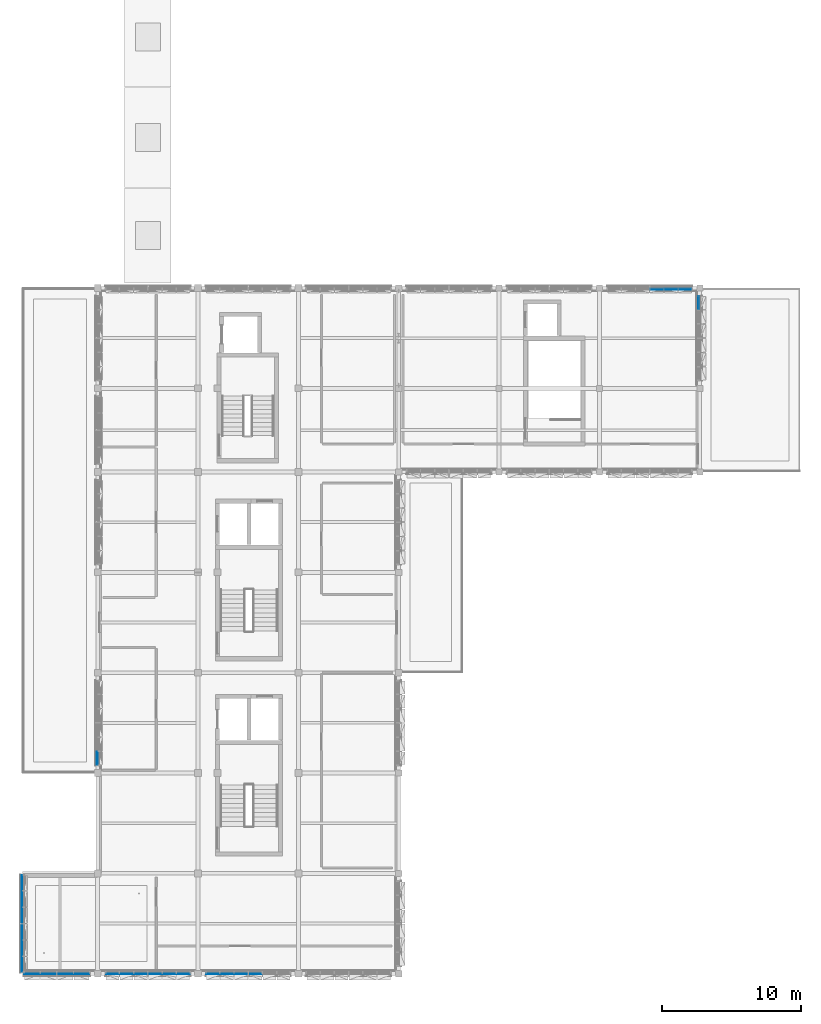
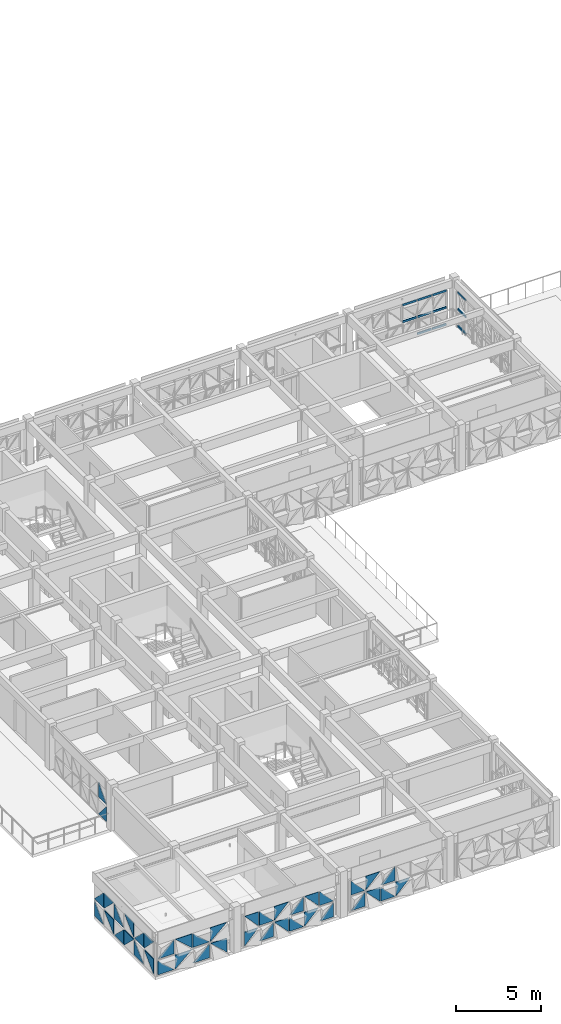
# One storey, part 12 of 35: 41 plates, 11 members, 7 elements without a shape of their own.
"""IFC4 building model written with IfcOpenShell, lengths in metres."""

from ifc_helpers import new_model, si_unit, direction, frame, origin, origin_2d, place, context, subcontext, project, spatial, polyline, rectangle, outline, extrude, material, layer, layer_set, material_profile, profile_set, type_object, element, aggregate, save


model = new_model("IFC4")

# Units and contexts
model_context = context("Model", 3, precision=1e-05, world=origin(), true_north=direction((0.0, 1.0)))
body_context = subcontext(model_context, "Body", "Model", "MODEL_VIEW")
ifc_project = project(units=[si_unit("LENGTHUNIT", "METRE"), si_unit("AREAUNIT", "SQUARE_METRE"), si_unit("VOLUMEUNIT", "CUBIC_METRE"), si_unit("PLANEANGLEUNIT", "RADIAN"), si_unit("MASSUNIT", "GRAM", prefix="KILO")], contexts=[model_context])

# Site, building, storey
site_placement = place(None, origin())
site = spatial("IfcSite", under=ifc_project, at=site_placement, CompositionType="ELEMENT")
building_placement = place(site_placement, origin())
building = spatial("IfcBuilding", under=site, at=building_placement, Name="Alvorim Cloister Faculty of Sciences", CompositionType="ELEMENT")
storey_placement = place(building_placement, frame((0.0, 0.0, 22.949951171875)))
storey = spatial("IfcBuildingStorey", under=building, at=storey_placement, Name="L06", CompositionType="ELEMENT", Elevation=22.949951171875)

# Curtain wall, members
ifc_material_1 = material(Name="Aluminium and Low-E Glass Curtain Wall", Category="aluminium")
curtain_wall_type_1 = type_object("IfcCurtainWallType", Name="CW-TRI-6120x2550", PredefinedType="USERDEFINED", material=ifc_material_1)
curtain_wall_1_placement = place(storey_placement, origin())
curtain_wall_1 = element("IfcCurtainWall", 1, at=curtain_wall_1_placement, inside=storey, type_object=curtain_wall_type_1, Name="L06 Diagonal Cassette Curtain Wall CW-0250", ObjectType="UNITISED CURTAIN WALL", PredefinedType="USERDEFINED")
ifc_material_2 = material(Name="Aluminium Alloy 6063-T6", Category="aluminium")
ifc_material_profile = material_profile(ifc_material_2, rectangle(XDim=0.06494140625, YDim=0.139892578125, at=origin_2d()), Name="ALU-TRN-65x140")
ifc_profile_set = profile_set([ifc_material_profile], Name="Aluminium Alloy 6063-T6")
member_type = type_object("IfcMemberType", Name="CW-TRN-65x140", PredefinedType="USERDEFINED", material=ifc_profile_set)
member_1_placement = place(storey_placement, frame((46.83251953125, 56.31005859375, 1.275146484375), z_axis=(1.0, 0.0, 0.0), x_axis=(0.0, 1.0, 0.0)))
member_1 = element("IfcMember", 2, at=member_1_placement, type_object=member_type, Name="CW-0250 Transom 4.2", ObjectType="TRANSOM", PredefinedType="USERDEFINED", context=body_context, shape_type="SweptSolid", body=[
    extrude(rectangle(XDim=0.06494140625, YDim=0.139892578125, at=origin_2d()), origin(), (0.0, 0.0, 1.0), 0.955078125),
])
member_2_placement = place(storey_placement, frame((46.83251953125, 56.31005859375, 2.47998046875), z_axis=(1.0, 0.0, 0.0), x_axis=(0.0, 1.0, 0.0)))
member_2 = element("IfcMember", 3, at=member_2_placement, type_object=member_type, Name="CW-0250 Transom 4.3", ObjectType="TRANSOM", PredefinedType="USERDEFINED", context=body_context, shape_type="SweptSolid", body=[
    extrude(rectangle(XDim=0.06494140625, YDim=0.139892578125, at=origin_2d()), origin(), (0.0, 0.0, 1.0), 0.955078125),
])
member_3_placement = place(storey_placement, frame((47.8525390625, 56.31005859375, 0.070068359375), z_axis=(1.0, 0.0, 0.0), x_axis=(0.0, 1.0, 0.0)))
member_3 = element("IfcMember", 4, at=member_3_placement, type_object=member_type, Name="CW-0250 Transom 5.1", ObjectType="TRANSOM", PredefinedType="USERDEFINED", context=body_context, shape_type="SweptSolid", body=[
    extrude(rectangle(XDim=0.06494140625, YDim=0.139892578125, at=origin_2d()), origin(), (0.0, 0.0, 1.0), 0.955078125),
])
member_4_placement = place(storey_placement, frame((47.8525390625, 56.31005859375, 1.275146484375), z_axis=(1.0, 0.0, 0.0), x_axis=(0.0, 1.0, 0.0)))
member_4 = element("IfcMember", 5, at=member_4_placement, type_object=member_type, Name="CW-0250 Transom 5.2", ObjectType="TRANSOM", PredefinedType="USERDEFINED", context=body_context, shape_type="SweptSolid", body=[
    extrude(rectangle(XDim=0.06494140625, YDim=0.139892578125, at=origin_2d()), origin(), (0.0, 0.0, 1.0), 0.955078125),
])
member_5_placement = place(storey_placement, frame((47.8525390625, 56.31005859375, 2.47998046875), z_axis=(1.0, 0.0, 0.0), x_axis=(0.0, 1.0, 0.0)))
member_5 = element("IfcMember", 6, at=member_5_placement, type_object=member_type, Name="CW-0250 Transom 5.3", ObjectType="TRANSOM", PredefinedType="USERDEFINED", context=body_context, shape_type="SweptSolid", body=[
    extrude(rectangle(XDim=0.06494140625, YDim=0.139892578125, at=origin_2d()), origin(), (0.0, 0.0, 1.0), 0.955078125),
])
member_6_placement = place(storey_placement, frame((48.87255859375, 56.31005859375, 0.070068359375), z_axis=(1.0, 0.0, 0.0), x_axis=(0.0, 1.0, 0.0)))
member_6 = element("IfcMember", 7, at=member_6_placement, type_object=member_type, Name="CW-0250 Transom 6.1", ObjectType="TRANSOM", PredefinedType="USERDEFINED", context=body_context, shape_type="SweptSolid", body=[
    extrude(rectangle(XDim=0.06494140625, YDim=0.139892578125, at=origin_2d()), origin(), (0.0, 0.0, 1.0), 0.92236328125),
])
member_7_placement = place(storey_placement, frame((48.87255859375, 56.31005859375, 1.275146484375), z_axis=(1.0, 0.0, 0.0), x_axis=(0.0, 1.0, 0.0)))
member_7 = element("IfcMember", 8, at=member_7_placement, type_object=member_type, Name="CW-0250 Transom 6.2", ObjectType="TRANSOM", PredefinedType="USERDEFINED", context=body_context, shape_type="SweptSolid", body=[
    extrude(rectangle(XDim=0.06494140625, YDim=0.139892578125, at=origin_2d()), origin(), (0.0, 0.0, 1.0), 0.92236328125),
])
member_8_placement = place(storey_placement, frame((48.87255859375, 56.31005859375, 2.47998046875), z_axis=(1.0, 0.0, 0.0), x_axis=(0.0, 1.0, 0.0)))
member_8 = element("IfcMember", 9, at=member_8_placement, type_object=member_type, Name="CW-0250 Transom 6.3", ObjectType="TRANSOM", PredefinedType="USERDEFINED", context=body_context, shape_type="SweptSolid", body=[
    extrude(rectangle(XDim=0.06494140625, YDim=0.139892578125, at=origin_2d()), origin(), (0.0, 0.0, 1.0), 0.92236328125),
])
aggregate(curtain_wall_1, [member_1, member_2, member_3, member_4, member_5, member_6, member_7, member_8])

curtain_wall_2_placement = place(storey_placement, origin())
curtain_wall_2 = element("IfcCurtainWall", 10, at=curtain_wall_2_placement, inside=storey, type_object=curtain_wall_type_1, Name="L06 Diagonal Cassette Curtain Wall CW-0251", ObjectType="UNITISED CURTAIN WALL", PredefinedType="USERDEFINED")
member_9_placement = place(storey_placement, frame((50.31005859375, 54.87255859375, 0.070068359375), z_axis=(0.0, 1.0, 0.0), x_axis=(-1.0, 0.0, 0.0)))
member_9 = element("IfcMember", 11, at=member_9_placement, type_object=member_type, Name="CW-0251 Transom 6.1", ObjectType="TRANSOM", PredefinedType="USERDEFINED", context=body_context, shape_type="SweptSolid", body=[
    extrude(rectangle(XDim=0.06494140625, YDim=0.139892578125, at=origin_2d()), origin(), (0.0, 0.0, 1.0), 0.92236328125),
])
member_10_placement = place(storey_placement, frame((50.31005859375, 54.87255859375, 1.275146484375), z_axis=(0.0, 1.0, 0.0), x_axis=(-1.0, 0.0, 0.0)))
member_10 = element("IfcMember", 12, at=member_10_placement, type_object=member_type, Name="CW-0251 Transom 6.2", ObjectType="TRANSOM", PredefinedType="USERDEFINED", context=body_context, shape_type="SweptSolid", body=[
    extrude(rectangle(XDim=0.06494140625, YDim=0.139892578125, at=origin_2d()), origin(), (0.0, 0.0, 1.0), 0.92236328125),
])
member_11_placement = place(storey_placement, frame((50.31005859375, 54.87255859375, 2.47998046875), z_axis=(0.0, 1.0, 0.0), x_axis=(-1.0, 0.0, 0.0)))
member_11 = element("IfcMember", 13, at=member_11_placement, type_object=member_type, Name="CW-0251 Transom 6.3", ObjectType="TRANSOM", PredefinedType="USERDEFINED", context=body_context, shape_type="SweptSolid", body=[
    extrude(rectangle(XDim=0.06494140625, YDim=0.139892578125, at=origin_2d()), origin(), (0.0, 0.0, 1.0), 0.92236328125),
])
aggregate(curtain_wall_2, [member_9, member_10, member_11])

# Curtain wall, plates
curtain_wall_type_2 = type_object("IfcCurtainWallType", Name="CW-TRI-7040x2557", PredefinedType="USERDEFINED", material=ifc_material_1)
curtain_wall_3_placement = place(storey_placement, origin())
curtain_wall_3 = element("IfcCurtainWall", 14, at=curtain_wall_3_placement, inside=storey, type_object=curtain_wall_type_2, Name="L06 Diagonal Cassette Curtain Wall CW-0240", ObjectType="UNITISED CURTAIN WALL", PredefinedType="USERDEFINED")
ifc_material_3 = material(Name="Double Low-E Laminated Glass", Category="glass")
ifc_layer = layer(ifc_material_3, 0.0400390625)
ifc_layer_set = layer_set([ifc_layer], Name="Double Low-E Laminated Glass")
plate_type = type_object("IfcPlateType", Name="PN-GLZ-40", PredefinedType="CURTAIN_PANEL", material=ifc_layer_set)
plate_1_placement = place(storey_placement, frame((1.77490234375, 7.344970703125, 0.14013671875), z_axis=(0.0, 0.0, 1.0), x_axis=(0.0, 1.0, 0.0)))
plate_1 = element("IfcPlate", 15, at=plate_1_placement, type_object=plate_type, Name="Diagonal Glazed Triangle TRI-TL", PredefinedType="CURTAIN_PANEL", context=body_context, shape_type="SweptSolid", body=[
    extrude(outline(polyline([(1.073974609375, 1.068359375), (0.0, 1.068359375), (0.0, 0.001953125), (1.073974609375, 1.068359375)])), frame((0.0, 0.02490234375, 0.0), z_axis=(0.0, -1.0, 0.0), x_axis=(1.0, 0.0, 0.0)), (0.0, 0.0, 1.0), 0.050048828125),
])
plate_2_placement = place(storey_placement, frame((1.77490234375, 7.344970703125, 1.3486328125), z_axis=(0.0, 0.0, 1.0), x_axis=(0.0, 1.0, 0.0)))
plate_2 = element("IfcPlate", 16, at=plate_2_placement, type_object=plate_type, Name="Diagonal Glazed Triangle TRI-TR", PredefinedType="CURTAIN_PANEL", context=body_context, shape_type="SweptSolid", body=[
    extrude(outline(polyline([(1.075927734375, 0.001953125), (1.075927734375, 1.068359375), (0.001953125, 1.068359375), (1.075927734375, 0.001953125)])), frame((0.0, 0.02490234375, 0.0), z_axis=(0.0, -1.0, 0.0), x_axis=(1.0, 0.0, 0.0)), (0.0, 0.0, 1.0), 0.050048828125),
])
plate_3_placement = place(storey_placement, frame((1.77490234375, 8.48583984375, 0.14013671875), z_axis=(0.0, 0.0, 1.0), x_axis=(0.0, 1.0, 0.0)))
plate_3 = element("IfcPlate", 17, at=plate_3_placement, type_object=plate_type, Name="Diagonal Glazed Triangle TRI-BR", PredefinedType="CURTAIN_PANEL", context=body_context, shape_type="SweptSolid", body=[
    extrude(outline(polyline([(0.001953125, 0.0), (1.1083984375, 0.0), (1.1083984375, 1.06640625), (0.001953125, 0.0)])), frame((0.0, 0.02490234375, 0.0), z_axis=(0.0, -1.0, 0.0), x_axis=(1.0, 0.0, 0.0)), (0.0, 0.0, 1.0), 0.050048828125),
])
plate_4_placement = place(storey_placement, frame((1.77490234375, 8.48583984375, 1.3486328125), z_axis=(0.0, 0.0, 1.0), x_axis=(0.0, 1.0, 0.0)))
plate_4 = element("IfcPlate", 18, at=plate_4_placement, type_object=plate_type, Name="Diagonal Glazed Triangle TRI-BL", PredefinedType="CURTAIN_PANEL", context=body_context, shape_type="SweptSolid", body=[
    extrude(outline(polyline([(0.0, 0.0), (1.1064453125, 0.0), (0.0, 1.06640625), (0.0, 0.0)])), frame((0.0, 0.02490234375, 0.0), z_axis=(0.0, -1.0, 0.0), x_axis=(1.0, 0.0, 0.0)), (0.0, 0.0, 1.0), 0.050048828125),
])
plate_5_placement = place(storey_placement, frame((1.77490234375, 9.6591796875, 0.14013671875), z_axis=(0.0, 0.0, 1.0), x_axis=(0.0, 1.0, 0.0)))
plate_5 = element("IfcPlate", 19, at=plate_5_placement, type_object=plate_type, Name="Diagonal Glazed Triangle TRI-TR", PredefinedType="CURTAIN_PANEL", context=body_context, shape_type="SweptSolid", body=[
    extrude(outline(polyline([(1.1083984375, 0.001953125), (1.1083984375, 1.068359375), (0.001953125, 1.068359375), (1.1083984375, 0.001953125)])), frame((0.0, 0.02490234375, 0.0), z_axis=(0.0, -1.0, 0.0), x_axis=(1.0, 0.0, 0.0)), (0.0, 0.0, 1.0), 0.050048828125),
])
plate_6_placement = place(storey_placement, frame((1.77490234375, 9.6591796875, 1.3486328125), z_axis=(0.0, 0.0, 1.0), x_axis=(0.0, 1.0, 0.0)))
plate_6 = element("IfcPlate", 20, at=plate_6_placement, type_object=plate_type, Name="Diagonal Glazed Triangle TRI-TL", PredefinedType="CURTAIN_PANEL", context=body_context, shape_type="SweptSolid", body=[
    extrude(outline(polyline([(1.1064453125, 1.068359375), (0.0, 1.068359375), (0.0, 0.001953125), (1.1064453125, 1.068359375)])), frame((0.0, 0.02490234375, 0.0), z_axis=(0.0, -1.0, 0.0), x_axis=(1.0, 0.0, 0.0)), (0.0, 0.0, 1.0), 0.050048828125),
])
plate_7_placement = place(storey_placement, frame((1.77490234375, 10.83251953125, 0.14013671875), z_axis=(0.0, 0.0, 1.0), x_axis=(0.0, 1.0, 0.0)))
plate_7 = element("IfcPlate", 21, at=plate_7_placement, type_object=plate_type, Name="Diagonal Glazed Triangle TRI-BL", PredefinedType="CURTAIN_PANEL", context=body_context, shape_type="SweptSolid", body=[
    extrude(outline(polyline([(0.0, 0.0), (1.1064453125, 0.0), (0.0, 1.06640625), (0.0, 0.0)])), frame((0.0, 0.02490234375, 0.0), z_axis=(0.0, -1.0, 0.0), x_axis=(1.0, 0.0, 0.0)), (0.0, 0.0, 1.0), 0.050048828125),
])
plate_8_placement = place(storey_placement, frame((1.77490234375, 10.83251953125, 1.3486328125), z_axis=(0.0, 0.0, 1.0), x_axis=(0.0, 1.0, 0.0)))
plate_8 = element("IfcPlate", 22, at=plate_8_placement, type_object=plate_type, Name="Diagonal Glazed Triangle TRI-BR", PredefinedType="CURTAIN_PANEL", context=body_context, shape_type="SweptSolid", body=[
    extrude(outline(polyline([(0.001953125, 0.0), (1.1083984375, 0.0), (1.1083984375, 1.06640625), (0.001953125, 0.0)])), frame((0.0, 0.02490234375, 0.0), z_axis=(0.0, -1.0, 0.0), x_axis=(1.0, 0.0, 0.0)), (0.0, 0.0, 1.0), 0.050048828125),
])
plate_9_placement = place(storey_placement, frame((1.77490234375, 12.005859375, 0.14013671875), z_axis=(0.0, 0.0, 1.0), x_axis=(0.0, 1.0, 0.0)))
plate_9 = element("IfcPlate", 23, at=plate_9_placement, type_object=plate_type, Name="Diagonal Glazed Triangle TRI-TL", PredefinedType="CURTAIN_PANEL", context=body_context, shape_type="SweptSolid", body=[
    extrude(outline(polyline([(1.1064453125, 1.068359375), (0.0, 1.068359375), (0.0, 0.001953125), (1.1064453125, 1.068359375)])), frame((0.0, 0.02490234375, 0.0), z_axis=(0.0, -1.0, 0.0), x_axis=(1.0, 0.0, 0.0)), (0.0, 0.0, 1.0), 0.050048828125),
])
plate_10_placement = place(storey_placement, frame((1.77490234375, 12.005859375, 1.3486328125), z_axis=(0.0, 0.0, 1.0), x_axis=(0.0, 1.0, 0.0)))
plate_10 = element("IfcPlate", 24, at=plate_10_placement, type_object=plate_type, Name="Diagonal Glazed Triangle TRI-TR", PredefinedType="CURTAIN_PANEL", context=body_context, shape_type="SweptSolid", body=[
    extrude(outline(polyline([(1.1083984375, 0.001953125), (1.1083984375, 1.068359375), (0.001953125, 1.068359375), (1.1083984375, 0.001953125)])), frame((0.0, 0.02490234375, 0.0), z_axis=(0.0, -1.0, 0.0), x_axis=(1.0, 0.0, 0.0)), (0.0, 0.0, 1.0), 0.050048828125),
])
plate_11_placement = place(storey_placement, frame((1.77490234375, 13.17919921875, 0.14013671875), z_axis=(0.0, 0.0, 1.0), x_axis=(0.0, 1.0, 0.0)))
plate_11 = element("IfcPlate", 25, at=plate_11_placement, type_object=plate_type, Name="Diagonal Glazed Triangle TRI-BR", PredefinedType="CURTAIN_PANEL", context=body_context, shape_type="SweptSolid", body=[
    extrude(outline(polyline([(0.001953125, 0.0), (1.075927734375, 0.0), (1.075927734375, 1.06640625), (0.001953125, 0.0)])), frame((0.0, 0.02490234375, 0.0), z_axis=(0.0, -1.0, 0.0), x_axis=(1.0, 0.0, 0.0)), (0.0, 0.0, 1.0), 0.050048828125),
])
plate_12_placement = place(storey_placement, frame((1.77490234375, 13.17919921875, 1.3486328125), z_axis=(0.0, 0.0, 1.0), x_axis=(0.0, 1.0, 0.0)))
plate_12 = element("IfcPlate", 26, at=plate_12_placement, type_object=plate_type, Name="Diagonal Glazed Triangle TRI-BL", PredefinedType="CURTAIN_PANEL", context=body_context, shape_type="SweptSolid", body=[
    extrude(outline(polyline([(0.0, 0.0), (1.073974609375, 0.0), (0.0, 1.06640625), (0.0, 0.0)])), frame((0.0, 0.02490234375, 0.0), z_axis=(0.0, -1.0, 0.0), x_axis=(1.0, 0.0, 0.0)), (0.0, 0.0, 1.0), 0.050048828125),
])
aggregate(curtain_wall_3, [plate_1, plate_2, plate_3, plate_4, plate_5, plate_6, plate_7, plate_8, plate_9, plate_10, plate_11, plate_12])

curtain_wall_4_placement = place(storey_placement, origin())
curtain_wall_4 = element("IfcCurtainWall", 27, at=curtain_wall_4_placement, inside=storey, type_object=curtain_wall_type_1, Name="L06 Diagonal Cassette Curtain Wall CW-0241", ObjectType="UNITISED CURTAIN WALL", PredefinedType="USERDEFINED")
plate_13_placement = place(storey_placement, frame((7.175048828125, 22.205078125, 0.14013671875), z_axis=(0.0, 0.0, 1.0), x_axis=(0.0, 1.0, 0.0)))
plate_13 = element("IfcPlate", 28, at=plate_13_placement, type_object=plate_type, Name="Diagonal Glazed Triangle TRI-BL", PredefinedType="CURTAIN_PANEL", context=body_context, shape_type="SweptSolid", body=[
    extrude(outline(polyline([(0.0, 0.0), (0.920654296875, 0.0), (0.0, 1.06298828125), (0.0, 0.0)])), frame((0.0, 0.02490234375, 0.0), z_axis=(0.0, -1.0, 0.0), x_axis=(1.0, 0.0, 0.0)), (0.0, 0.0, 1.0), 0.050048828125),
])
plate_14_placement = place(storey_placement, frame((7.175048828125, 22.205078125, 1.344970703125), z_axis=(0.0, 0.0, 1.0), x_axis=(0.0, 1.0, 0.0)))
plate_14 = element("IfcPlate", 29, at=plate_14_placement, type_object=plate_type, Name="Diagonal Glazed Triangle TRI-BR", PredefinedType="CURTAIN_PANEL", context=body_context, shape_type="SweptSolid", body=[
    extrude(outline(polyline([(0.001953125, 0.0), (0.922607421875, 0.0), (0.922607421875, 1.063232421875), (0.001953125, 0.0)])), frame((0.0, 0.02490234375, 0.0), z_axis=(0.0, -1.0, 0.0), x_axis=(1.0, 0.0, 0.0)), (0.0, 0.0, 1.0), 0.050048828125),
])
aggregate(curtain_wall_4, [plate_13, plate_14])

curtain_wall_type_3 = type_object("IfcCurtainWallType", Name="CW-TRI-6120x2406", PredefinedType="USERDEFINED", material=ifc_material_1)
curtain_wall_5_placement = place(storey_placement, origin())
curtain_wall_5 = element("IfcCurtainWall", 30, at=curtain_wall_5_placement, inside=storey, type_object=curtain_wall_type_3, Name="L06 Diagonal Cassette Curtain Wall CW-0259", ObjectType="UNITISED CURTAIN WALL", PredefinedType="USERDEFINED")
plate_15_placement = place(storey_placement, frame((15.0048828125, 7.175048828125, 0.14013671875), z_axis=(0.0, 0.0, 1.0), x_axis=(1.0, 0.0, 0.0)))
plate_15 = element("IfcPlate", 31, at=plate_15_placement, type_object=plate_type, Name="Diagonal Glazed Triangle TRI-BR", PredefinedType="CURTAIN_PANEL", context=body_context, shape_type="SweptSolid", body=[
    extrude(outline(polyline([(0.001953125, 0.0), (0.922607421875, 0.0), (0.922607421875, 0.990966796875), (0.001953125, 0.0)])), frame((0.0, 0.02490234375, 0.0), z_axis=(0.0, -1.0, 0.0), x_axis=(1.0, 0.0, 0.0)), (0.0, 0.0, 1.0), 0.050048828125),
])
plate_16_placement = place(storey_placement, frame((15.0048828125, 7.175048828125, 1.27294921875), z_axis=(0.0, 0.0, 1.0), x_axis=(1.0, 0.0, 0.0)))
plate_16 = element("IfcPlate", 32, at=plate_16_placement, type_object=plate_type, Name="Diagonal Glazed Triangle TRI-BL", PredefinedType="CURTAIN_PANEL", context=body_context, shape_type="SweptSolid", body=[
    extrude(outline(polyline([(0.0, 0.0), (0.920654296875, 0.0), (0.0, 0.9912109375), (0.0, 0.0)])), frame((0.0, 0.02490234375, 0.0), z_axis=(0.0, -1.0, 0.0), x_axis=(1.0, 0.0, 0.0)), (0.0, 0.0, 1.0), 0.050048828125),
])
plate_17_placement = place(storey_placement, frame((15.992431640625, 7.175048828125, 0.14013671875), z_axis=(0.0, 0.0, 1.0), x_axis=(1.0, 0.0, 0.0)))
plate_17 = element("IfcPlate", 33, at=plate_17_placement, type_object=plate_type, Name="Diagonal Glazed Triangle TRI-TR", PredefinedType="CURTAIN_PANEL", context=body_context, shape_type="SweptSolid", body=[
    extrude(outline(polyline([(0.955078125, 0.001953125), (0.955078125, 0.992919921875), (0.001953125, 0.992919921875), (0.955078125, 0.001953125)])), frame((0.0, 0.02490234375, 0.0), z_axis=(0.0, -1.0, 0.0), x_axis=(1.0, 0.0, 0.0)), (0.0, 0.0, 1.0), 0.050048828125),
])
plate_18_placement = place(storey_placement, frame((15.992431640625, 7.175048828125, 1.27294921875), z_axis=(0.0, 0.0, 1.0), x_axis=(1.0, 0.0, 0.0)))
plate_18 = element("IfcPlate", 34, at=plate_18_placement, type_object=plate_type, Name="Diagonal Glazed Triangle TRI-TL", PredefinedType="CURTAIN_PANEL", context=body_context, shape_type="SweptSolid", body=[
    extrude(outline(polyline([(0.953125, 0.9931640625), (0.0, 0.9931640625), (0.0, 0.001953125), (0.953125, 0.9931640625)])), frame((0.0, 0.02490234375, 0.0), z_axis=(0.0, -1.0, 0.0), x_axis=(1.0, 0.0, 0.0)), (0.0, 0.0, 1.0), 0.050048828125),
])
plate_19_placement = place(storey_placement, frame((17.012451171875, 7.175048828125, 0.14013671875), z_axis=(0.0, 0.0, 1.0), x_axis=(1.0, 0.0, 0.0)))
plate_19 = element("IfcPlate", 35, at=plate_19_placement, type_object=plate_type, Name="Diagonal Glazed Triangle TRI-BL", PredefinedType="CURTAIN_PANEL", context=body_context, shape_type="SweptSolid", body=[
    extrude(outline(polyline([(0.0, 0.0), (0.953125, 0.0), (0.0, 0.990966796875), (0.0, 0.0)])), frame((0.0, 0.02490234375, 0.0), z_axis=(0.0, -1.0, 0.0), x_axis=(1.0, 0.0, 0.0)), (0.0, 0.0, 1.0), 0.050048828125),
])
plate_20_placement = place(storey_placement, frame((17.012451171875, 7.175048828125, 1.27294921875), z_axis=(0.0, 0.0, 1.0), x_axis=(1.0, 0.0, 0.0)))
plate_20 = element("IfcPlate", 36, at=plate_20_placement, type_object=plate_type, Name="Diagonal Glazed Triangle TRI-BR", PredefinedType="CURTAIN_PANEL", context=body_context, shape_type="SweptSolid", body=[
    extrude(outline(polyline([(0.001953125, 0.0), (0.955078125, 0.0), (0.955078125, 0.9912109375), (0.001953125, 0.0)])), frame((0.0, 0.02490234375, 0.0), z_axis=(0.0, -1.0, 0.0), x_axis=(1.0, 0.0, 0.0)), (0.0, 0.0, 1.0), 0.050048828125),
])
plate_21_placement = place(storey_placement, frame((18.032470703125, 7.175048828125, 0.14013671875), z_axis=(0.0, 0.0, 1.0), x_axis=(1.0, 0.0, 0.0)))
plate_21 = element("IfcPlate", 37, at=plate_21_placement, type_object=plate_type, Name="Diagonal Glazed Triangle TRI-TL", PredefinedType="CURTAIN_PANEL", context=body_context, shape_type="SweptSolid", body=[
    extrude(outline(polyline([(0.953125, 0.992919921875), (0.0, 0.992919921875), (0.0, 0.001953125), (0.953125, 0.992919921875)])), frame((0.0, 0.02490234375, 0.0), z_axis=(0.0, -1.0, 0.0), x_axis=(1.0, 0.0, 0.0)), (0.0, 0.0, 1.0), 0.050048828125),
])
aggregate(curtain_wall_5, [plate_15, plate_16, plate_17, plate_18, plate_19, plate_20, plate_21])

curtain_wall_6_placement = place(storey_placement, origin())
curtain_wall_6 = element("IfcCurtainWall", 38, at=curtain_wall_6_placement, inside=storey, type_object=curtain_wall_type_3, Name="L06 Diagonal Cassette Curtain Wall CW-0260", ObjectType="UNITISED CURTAIN WALL", PredefinedType="USERDEFINED")
plate_22_placement = place(storey_placement, frame((7.804931640625, 7.175048828125, 0.14013671875), z_axis=(0.0, 0.0, 1.0), x_axis=(1.0, 0.0, 0.0)))
plate_22 = element("IfcPlate", 39, at=plate_22_placement, type_object=plate_type, Name="Diagonal Glazed Triangle TRI-TL", PredefinedType="CURTAIN_PANEL", context=body_context, shape_type="SweptSolid", body=[
    extrude(outline(polyline([(0.920654296875, 0.992919921875), (0.0, 0.992919921875), (0.0, 0.001953125), (0.920654296875, 0.992919921875)])), frame((0.0, 0.02490234375, 0.0), z_axis=(0.0, -1.0, 0.0), x_axis=(1.0, 0.0, 0.0)), (0.0, 0.0, 1.0), 0.050048828125),
])
plate_23_placement = place(storey_placement, frame((7.804931640625, 7.175048828125, 1.27294921875), z_axis=(0.0, 0.0, 1.0), x_axis=(1.0, 0.0, 0.0)))
plate_23 = element("IfcPlate", 40, at=plate_23_placement, type_object=plate_type, Name="Diagonal Glazed Triangle TRI-TR", PredefinedType="CURTAIN_PANEL", context=body_context, shape_type="SweptSolid", body=[
    extrude(outline(polyline([(0.922607421875, 0.001953125), (0.922607421875, 0.9931640625), (0.001953125, 0.9931640625), (0.922607421875, 0.001953125)])), frame((0.0, 0.02490234375, 0.0), z_axis=(0.0, -1.0, 0.0), x_axis=(1.0, 0.0, 0.0)), (0.0, 0.0, 1.0), 0.050048828125),
])
plate_24_placement = place(storey_placement, frame((8.79248046875, 7.175048828125, 0.14013671875), z_axis=(0.0, 0.0, 1.0), x_axis=(1.0, 0.0, 0.0)))
plate_24 = element("IfcPlate", 41, at=plate_24_placement, type_object=plate_type, Name="Diagonal Glazed Triangle TRI-BR", PredefinedType="CURTAIN_PANEL", context=body_context, shape_type="SweptSolid", body=[
    extrude(outline(polyline([(0.001953125, 0.0), (0.955078125, 0.0), (0.955078125, 0.990966796875), (0.001953125, 0.0)])), frame((0.0, 0.02490234375, 0.0), z_axis=(0.0, -1.0, 0.0), x_axis=(1.0, 0.0, 0.0)), (0.0, 0.0, 1.0), 0.050048828125),
])
plate_25_placement = place(storey_placement, frame((8.79248046875, 7.175048828125, 1.27294921875), z_axis=(0.0, 0.0, 1.0), x_axis=(1.0, 0.0, 0.0)))
plate_25 = element("IfcPlate", 42, at=plate_25_placement, type_object=plate_type, Name="Diagonal Glazed Triangle TRI-BL", PredefinedType="CURTAIN_PANEL", context=body_context, shape_type="SweptSolid", body=[
    extrude(outline(polyline([(0.0, 0.0), (0.953125, 0.0), (0.0, 0.9912109375), (0.0, 0.0)])), frame((0.0, 0.02490234375, 0.0), z_axis=(0.0, -1.0, 0.0), x_axis=(1.0, 0.0, 0.0)), (0.0, 0.0, 1.0), 0.050048828125),
])
plate_26_placement = place(storey_placement, frame((9.8125, 7.175048828125, 0.14013671875), z_axis=(0.0, 0.0, 1.0), x_axis=(1.0, 0.0, 0.0)))
plate_26 = element("IfcPlate", 43, at=plate_26_placement, type_object=plate_type, Name="Diagonal Glazed Triangle TRI-TR", PredefinedType="CURTAIN_PANEL", context=body_context, shape_type="SweptSolid", body=[
    extrude(outline(polyline([(0.955078125, 0.001953125), (0.955078125, 0.992919921875), (0.001953125, 0.992919921875), (0.955078125, 0.001953125)])), frame((0.0, 0.02490234375, 0.0), z_axis=(0.0, -1.0, 0.0), x_axis=(1.0, 0.0, 0.0)), (0.0, 0.0, 1.0), 0.050048828125),
])
plate_27_placement = place(storey_placement, frame((9.8125, 7.175048828125, 1.27294921875), z_axis=(0.0, 0.0, 1.0), x_axis=(1.0, 0.0, 0.0)))
plate_27 = element("IfcPlate", 44, at=plate_27_placement, type_object=plate_type, Name="Diagonal Glazed Triangle TRI-TL", PredefinedType="CURTAIN_PANEL", context=body_context, shape_type="SweptSolid", body=[
    extrude(outline(polyline([(0.953125, 0.9931640625), (0.0, 0.9931640625), (0.0, 0.001953125), (0.953125, 0.9931640625)])), frame((0.0, 0.02490234375, 0.0), z_axis=(0.0, -1.0, 0.0), x_axis=(1.0, 0.0, 0.0)), (0.0, 0.0, 1.0), 0.050048828125),
])
plate_28_placement = place(storey_placement, frame((10.83251953125, 7.175048828125, 0.14013671875), z_axis=(0.0, 0.0, 1.0), x_axis=(1.0, 0.0, 0.0)))
plate_28 = element("IfcPlate", 45, at=plate_28_placement, type_object=plate_type, Name="Diagonal Glazed Triangle TRI-BL", PredefinedType="CURTAIN_PANEL", context=body_context, shape_type="SweptSolid", body=[
    extrude(outline(polyline([(0.0, 0.0), (0.953125, 0.0), (0.0, 0.990966796875), (0.0, 0.0)])), frame((0.0, 0.02490234375, 0.0), z_axis=(0.0, -1.0, 0.0), x_axis=(1.0, 0.0, 0.0)), (0.0, 0.0, 1.0), 0.050048828125),
])
plate_29_placement = place(storey_placement, frame((10.83251953125, 7.175048828125, 1.27294921875), z_axis=(0.0, 0.0, 1.0), x_axis=(1.0, 0.0, 0.0)))
plate_29 = element("IfcPlate", 46, at=plate_29_placement, type_object=plate_type, Name="Diagonal Glazed Triangle TRI-BR", PredefinedType="CURTAIN_PANEL", context=body_context, shape_type="SweptSolid", body=[
    extrude(outline(polyline([(0.001953125, 0.0), (0.955078125, 0.0), (0.955078125, 0.9912109375), (0.001953125, 0.0)])), frame((0.0, 0.02490234375, 0.0), z_axis=(0.0, -1.0, 0.0), x_axis=(1.0, 0.0, 0.0)), (0.0, 0.0, 1.0), 0.050048828125),
])
plate_30_placement = place(storey_placement, frame((11.8525390625, 7.175048828125, 0.14013671875), z_axis=(0.0, 0.0, 1.0), x_axis=(1.0, 0.0, 0.0)))
plate_30 = element("IfcPlate", 47, at=plate_30_placement, type_object=plate_type, Name="Diagonal Glazed Triangle TRI-TL", PredefinedType="CURTAIN_PANEL", context=body_context, shape_type="SweptSolid", body=[
    extrude(outline(polyline([(0.953125, 0.992919921875), (0.0, 0.992919921875), (0.0, 0.001953125), (0.953125, 0.992919921875)])), frame((0.0, 0.02490234375, 0.0), z_axis=(0.0, -1.0, 0.0), x_axis=(1.0, 0.0, 0.0)), (0.0, 0.0, 1.0), 0.050048828125),
])
plate_31_placement = place(storey_placement, frame((11.8525390625, 7.175048828125, 1.27294921875), z_axis=(0.0, 0.0, 1.0), x_axis=(1.0, 0.0, 0.0)))
plate_31 = element("IfcPlate", 48, at=plate_31_placement, type_object=plate_type, Name="Diagonal Glazed Triangle TRI-TR", PredefinedType="CURTAIN_PANEL", context=body_context, shape_type="SweptSolid", body=[
    extrude(outline(polyline([(0.955078125, 0.001953125), (0.955078125, 0.9931640625), (0.001953125, 0.9931640625), (0.955078125, 0.001953125)])), frame((0.0, 0.02490234375, 0.0), z_axis=(0.0, -1.0, 0.0), x_axis=(1.0, 0.0, 0.0)), (0.0, 0.0, 1.0), 0.050048828125),
])
plate_32_placement = place(storey_placement, frame((12.87255859375, 7.175048828125, 0.14013671875), z_axis=(0.0, 0.0, 1.0), x_axis=(1.0, 0.0, 0.0)))
plate_32 = element("IfcPlate", 49, at=plate_32_placement, type_object=plate_type, Name="Diagonal Glazed Triangle TRI-BR", PredefinedType="CURTAIN_PANEL", context=body_context, shape_type="SweptSolid", body=[
    extrude(outline(polyline([(0.001953125, 0.0), (0.922607421875, 0.0), (0.922607421875, 0.990966796875), (0.001953125, 0.0)])), frame((0.0, 0.02490234375, 0.0), z_axis=(0.0, -1.0, 0.0), x_axis=(1.0, 0.0, 0.0)), (0.0, 0.0, 1.0), 0.050048828125),
])
plate_33_placement = place(storey_placement, frame((12.87255859375, 7.175048828125, 1.27294921875), z_axis=(0.0, 0.0, 1.0), x_axis=(1.0, 0.0, 0.0)))
plate_33 = element("IfcPlate", 50, at=plate_33_placement, type_object=plate_type, Name="Diagonal Glazed Triangle TRI-BL", PredefinedType="CURTAIN_PANEL", context=body_context, shape_type="SweptSolid", body=[
    extrude(outline(polyline([(0.0, 0.0), (0.920654296875, 0.0), (0.0, 0.9912109375), (0.0, 0.0)])), frame((0.0, 0.02490234375, 0.0), z_axis=(0.0, -1.0, 0.0), x_axis=(1.0, 0.0, 0.0)), (0.0, 0.0, 1.0), 0.050048828125),
])
aggregate(curtain_wall_6, [plate_22, plate_23, plate_24, plate_25, plate_26, plate_27, plate_28, plate_29, plate_30, plate_31, plate_32, plate_33])

curtain_wall_type_4 = type_object("IfcCurtainWallType", Name="CW-TRI-4780x2406", PredefinedType="USERDEFINED", material=ifc_material_1)
curtain_wall_7_placement = place(storey_placement, origin())
curtain_wall_7 = element("IfcCurtainWall", 51, at=curtain_wall_7_placement, inside=storey, type_object=curtain_wall_type_4, Name="L06 Diagonal Cassette Curtain Wall CW-0261", ObjectType="UNITISED CURTAIN WALL", PredefinedType="USERDEFINED")
plate_34_placement = place(storey_placement, frame((1.945068359375, 7.175048828125, 0.14013671875), z_axis=(0.0, 0.0, 1.0), x_axis=(1.0, 0.0, 0.0)))
plate_34 = element("IfcPlate", 52, at=plate_34_placement, type_object=plate_type, Name="Diagonal Glazed Triangle TRI-BL", PredefinedType="CURTAIN_PANEL", context=body_context, shape_type="SweptSolid", body=[
    extrude(outline(polyline([(0.0, 0.0), (1.095458984375, 0.0), (0.0, 0.990966796875), (0.0, 0.0)])), frame((0.0, 0.02490234375, 0.0), z_axis=(0.0, -1.0, 0.0), x_axis=(1.0, 0.0, 0.0)), (0.0, 0.0, 1.0), 0.050048828125),
])
plate_35_placement = place(storey_placement, frame((1.945068359375, 7.175048828125, 1.27294921875), z_axis=(0.0, 0.0, 1.0), x_axis=(1.0, 0.0, 0.0)))
plate_35 = element("IfcPlate", 53, at=plate_35_placement, type_object=plate_type, Name="Diagonal Glazed Triangle TRI-BR", PredefinedType="CURTAIN_PANEL", context=body_context, shape_type="SweptSolid", body=[
    extrude(outline(polyline([(0.001953125, 0.0), (1.097412109375, 0.0), (1.097412109375, 0.9912109375), (0.001953125, 0.0)])), frame((0.0, 0.02490234375, 0.0), z_axis=(0.0, -1.0, 0.0), x_axis=(1.0, 0.0, 0.0)), (0.0, 0.0, 1.0), 0.050048828125),
])
plate_36_placement = place(storey_placement, frame((3.107421875, 7.175048828125, 0.14013671875), z_axis=(0.0, 0.0, 1.0), x_axis=(1.0, 0.0, 0.0)))
plate_36 = element("IfcPlate", 54, at=plate_36_placement, type_object=plate_type, Name="Diagonal Glazed Triangle TRI-TL", PredefinedType="CURTAIN_PANEL", context=body_context, shape_type="SweptSolid", body=[
    extrude(outline(polyline([(1.1279296875, 0.992919921875), (0.0, 0.992919921875), (0.0, 0.001953125), (1.1279296875, 0.992919921875)])), frame((0.0, 0.02490234375, 0.0), z_axis=(0.0, -1.0, 0.0), x_axis=(1.0, 0.0, 0.0)), (0.0, 0.0, 1.0), 0.050048828125),
])
plate_37_placement = place(storey_placement, frame((3.107421875, 7.175048828125, 1.27294921875), z_axis=(0.0, 0.0, 1.0), x_axis=(1.0, 0.0, 0.0)))
plate_37 = element("IfcPlate", 55, at=plate_37_placement, type_object=plate_type, Name="Diagonal Glazed Triangle TRI-TR", PredefinedType="CURTAIN_PANEL", context=body_context, shape_type="SweptSolid", body=[
    extrude(outline(polyline([(1.1298828125, 0.001953125), (1.1298828125, 0.9931640625), (0.001953125, 0.9931640625), (1.1298828125, 0.001953125)])), frame((0.0, 0.02490234375, 0.0), z_axis=(0.0, -1.0, 0.0), x_axis=(1.0, 0.0, 0.0)), (0.0, 0.0, 1.0), 0.050048828125),
])
plate_38_placement = place(storey_placement, frame((4.302490234375, 7.175048828125, 0.14013671875), z_axis=(0.0, 0.0, 1.0), x_axis=(1.0, 0.0, 0.0)))
plate_38 = element("IfcPlate", 56, at=plate_38_placement, type_object=plate_type, Name="Diagonal Glazed Triangle TRI-BR", PredefinedType="CURTAIN_PANEL", context=body_context, shape_type="SweptSolid", body=[
    extrude(outline(polyline([(0.001953125, 0.0), (1.1298828125, 0.0), (1.1298828125, 0.990966796875), (0.001953125, 0.0)])), frame((0.0, 0.02490234375, 0.0), z_axis=(0.0, -1.0, 0.0), x_axis=(1.0, 0.0, 0.0)), (0.0, 0.0, 1.0), 0.050048828125),
])
plate_39_placement = place(storey_placement, frame((4.302490234375, 7.175048828125, 1.27294921875), z_axis=(0.0, 0.0, 1.0), x_axis=(1.0, 0.0, 0.0)))
plate_39 = element("IfcPlate", 57, at=plate_39_placement, type_object=plate_type, Name="Diagonal Glazed Triangle TRI-BL", PredefinedType="CURTAIN_PANEL", context=body_context, shape_type="SweptSolid", body=[
    extrude(outline(polyline([(0.0, 0.0), (1.1279296875, 0.0), (0.0, 0.9912109375), (0.0, 0.0)])), frame((0.0, 0.02490234375, 0.0), z_axis=(0.0, -1.0, 0.0), x_axis=(1.0, 0.0, 0.0)), (0.0, 0.0, 1.0), 0.050048828125),
])
plate_40_placement = place(storey_placement, frame((5.49755859375, 7.175048828125, 0.14013671875), z_axis=(0.0, 0.0, 1.0), x_axis=(1.0, 0.0, 0.0)))
plate_40 = element("IfcPlate", 58, at=plate_40_placement, type_object=plate_type, Name="Diagonal Glazed Triangle TRI-TR", PredefinedType="CURTAIN_PANEL", context=body_context, shape_type="SweptSolid", body=[
    extrude(outline(polyline([(1.097412109375, 0.001953125), (1.097412109375, 0.992919921875), (0.001953125, 0.992919921875), (1.097412109375, 0.001953125)])), frame((0.0, 0.02490234375, 0.0), z_axis=(0.0, -1.0, 0.0), x_axis=(1.0, 0.0, 0.0)), (0.0, 0.0, 1.0), 0.050048828125),
])
plate_41_placement = place(storey_placement, frame((5.49755859375, 7.175048828125, 1.27294921875), z_axis=(0.0, 0.0, 1.0), x_axis=(1.0, 0.0, 0.0)))
plate_41 = element("IfcPlate", 59, at=plate_41_placement, type_object=plate_type, Name="Diagonal Glazed Triangle TRI-TL", PredefinedType="CURTAIN_PANEL", context=body_context, shape_type="SweptSolid", body=[
    extrude(outline(polyline([(1.095458984375, 0.9931640625), (0.0, 0.9931640625), (0.0, 0.001953125), (1.095458984375, 0.9931640625)])), frame((0.0, 0.02490234375, 0.0), z_axis=(0.0, -1.0, 0.0), x_axis=(1.0, 0.0, 0.0)), (0.0, 0.0, 1.0), 0.050048828125),
])
aggregate(curtain_wall_7, [plate_34, plate_35, plate_36, plate_37, plate_38, plate_39, plate_40, plate_41])

save(model, "model.ifc")
